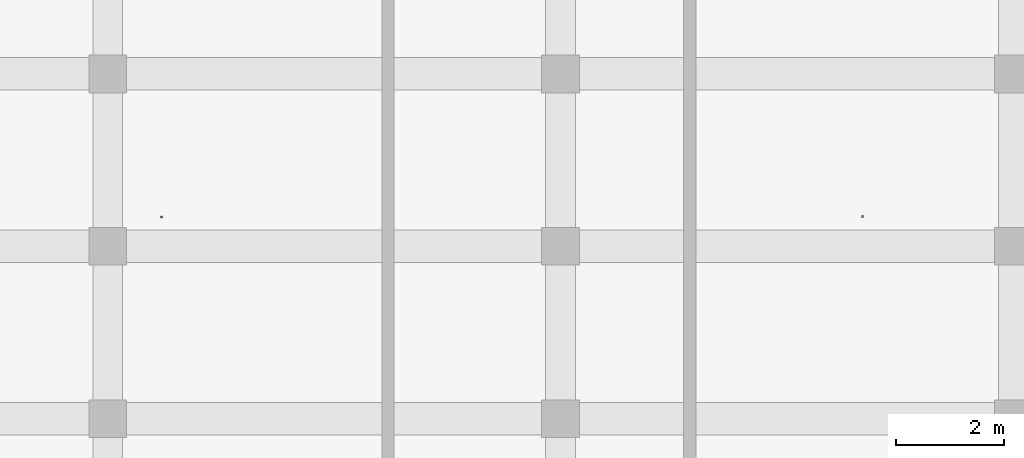
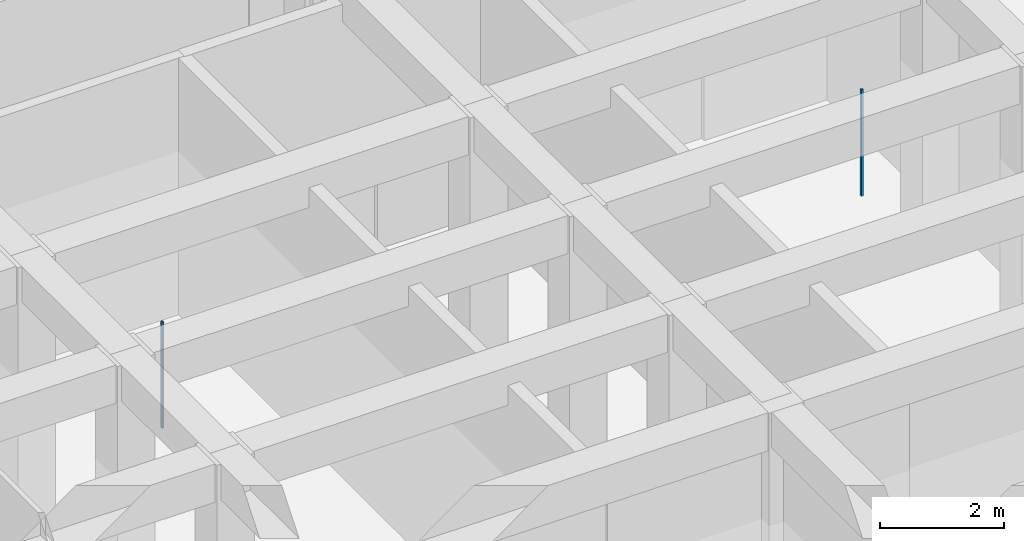
# One storey, part 136 of 167: 2 discrete accessories.
"""IFC4 building model written with IfcOpenShell, lengths in metres."""

from ifc_helpers import new_model, si_unit, direction, frame, origin, origin_2d, place, context, subcontext, project, spatial, rectangle, extrude, material, type_object, element, save


model = new_model("IFC4")

# Units and contexts
model_context = context("Model", 3, precision=1e-05, world=origin(), true_north=direction((0.0, 1.0)))
body_context = subcontext(model_context, "Body", "Model", "MODEL_VIEW")
ifc_project = project(units=[si_unit("LENGTHUNIT", "METRE"), si_unit("AREAUNIT", "SQUARE_METRE"), si_unit("VOLUMEUNIT", "CUBIC_METRE"), si_unit("PLANEANGLEUNIT", "RADIAN"), si_unit("MASSUNIT", "GRAM", prefix="KILO")], contexts=[model_context])

# Site, building, storey
site_placement = place(None, origin())
site = spatial("IfcSite", under=ifc_project, at=site_placement, CompositionType="ELEMENT")
building_placement = place(site_placement, origin())
building = spatial("IfcBuilding", under=site, at=building_placement, Name="Varncliffe General Hospital", CompositionType="ELEMENT")
storey_placement = place(building_placement, origin())
storey = spatial("IfcBuildingStorey", under=building, at=storey_placement, Name="L00", CompositionType="ELEMENT", Elevation=0.0)

# Discrete accessories
ifc_material = material(Name="Powder-coated hospital steel guardrail and handrail", Category="steel")
discrete_accessory_type = type_object("IfcDiscreteAccessoryType", Name="Suspended Ceiling Hanger Bracket CH01", PredefinedType="BRACKET", material=ifc_material)
for number, where, z_axis, x_axis, name in (
    (1, (143.800048828125, 106.54248046875, 3.18994140625), (0.0, 0.0, 1.0), (1.0, 0.0, 0.0), "L00 Suspended Ceiling Hanger 93"),
    (2, (156.800048828125, 106.554931640625, 3.18994140625), (0.0, 0.0, 1.0), (1.0, 0.0, 0.0), "L00 Suspended Ceiling Hanger 94"),
):
    element("IfcDiscreteAccessory", number, at=place(storey_placement, frame(where, z_axis=z_axis, x_axis=x_axis)), inside=storey, type_object=discrete_accessory_type, Name=name, PredefinedType="BRACKET", context=body_context, shape_type="SweptSolid", body=[
        extrude(rectangle(XDim=0.0400390625, YDim=0.0400390625, at=origin_2d()), origin(), (0.0, 0.0, 1.0), 2.090087890625),
    ])

save(model, "model.ifc")
